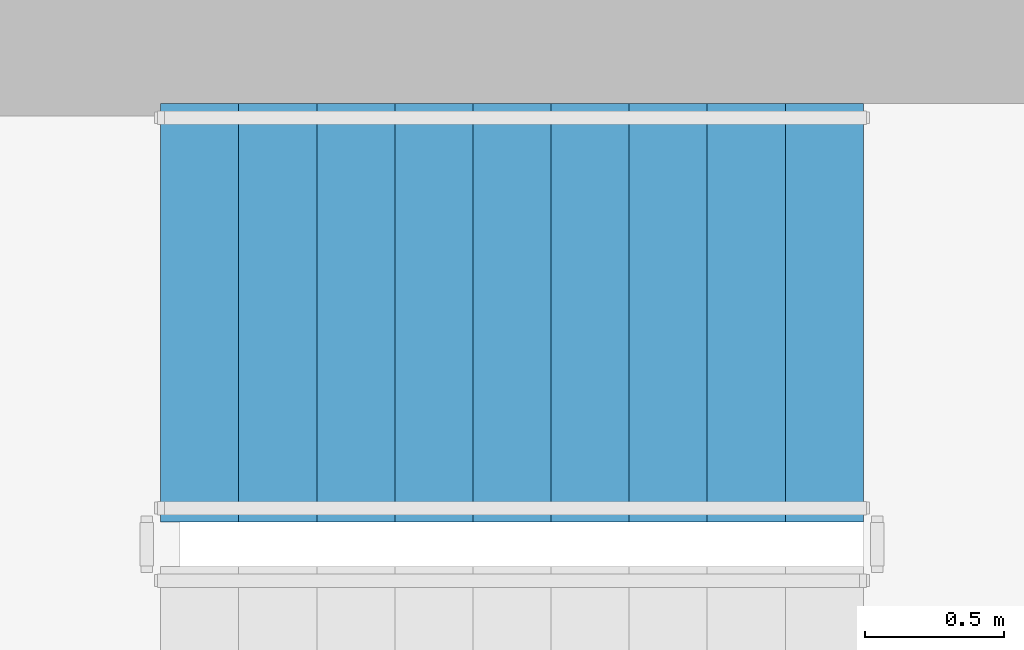
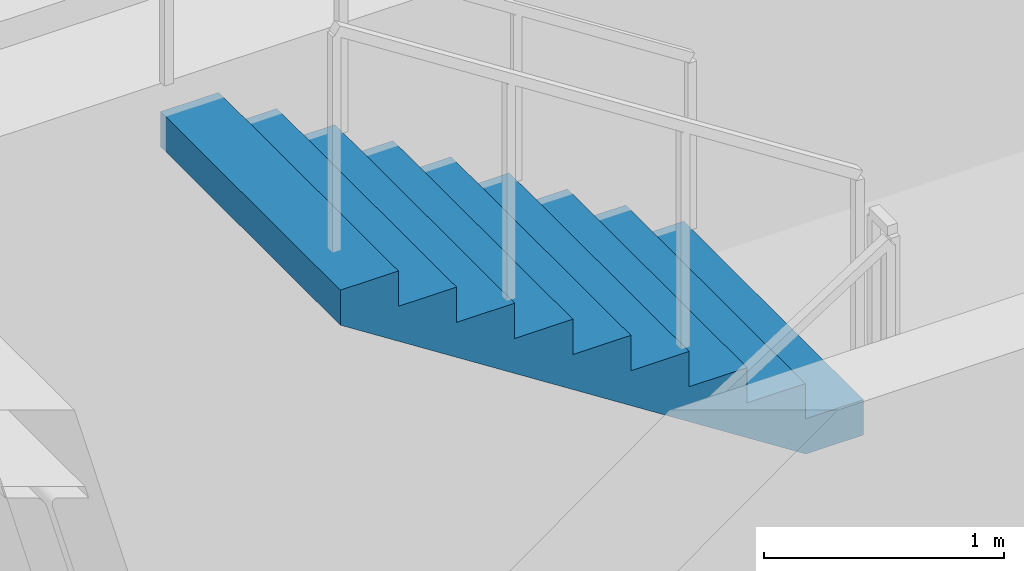
# One storey, part 11 of 15: 1 stair flight, 1 element without a shape of its own.
"""IFC4 building model written with IfcOpenShell, lengths in metres."""

from ifc_helpers import new_model, si_unit, direction, frame, origin, place, context, subcontext, project, spatial, polyline, outline, extrude, material, layer, layer_set, type_object, element, aggregate, save


model = new_model("IFC4")

# Units and contexts
model_context = context("Model", 3, precision=1e-05, world=origin(), true_north=direction((0.0, 1.0)))
body_context = subcontext(model_context, "Body", "Model", "MODEL_VIEW")
ifc_project = project(units=[si_unit("LENGTHUNIT", "METRE"), si_unit("AREAUNIT", "SQUARE_METRE"), si_unit("VOLUMEUNIT", "CUBIC_METRE"), si_unit("PLANEANGLEUNIT", "RADIAN"), si_unit("MASSUNIT", "GRAM", prefix="KILO")], contexts=[model_context])

# Site, building, storey
site_placement = place(None, origin())
site = spatial("IfcSite", under=ifc_project, at=site_placement, CompositionType="ELEMENT")
building_placement = place(site_placement, origin())
building = spatial("IfcBuilding", under=site, at=building_placement, Name="Zarnavel Station Tower", CompositionType="ELEMENT")
storey_placement = place(building_placement, frame((0.0, 0.0, 196.800048828125)))
storey = spatial("IfcBuildingStorey", under=building, at=storey_placement, Name="L53", CompositionType="ELEMENT", Elevation=196.800048828125)

# Stair, stair flight
ifc_material_1 = material(Name="Concrete C45/55", Category="concrete")
stair_type = type_object("IfcStairType", Name="ST_CORE_150", PredefinedType="HALF_TURN_STAIR", material=ifc_material_1)
stair_placement = place(storey_placement, origin())
stair = element("IfcStair", 1, at=stair_placement, inside=storey, type_object=stair_type, Name="L53 Core Exit Stair ST2", PredefinedType="HALF_TURN_STAIR")
ifc_material_2 = material(Name="Concrete C45/55", Category="concrete")
ifc_layer = layer(ifc_material_2, 0.179931640625)
ifc_layer_set = layer_set([ifc_layer], Name="ST_CORE_150_FLT")
stair_flight_type = type_object("IfcStairFlightType", Name="ST_CORE_150_FLT", PredefinedType="STRAIGHT", material=ifc_layer_set)
stair_flight_placement = place(storey_placement, frame((40.60009765625, 36.070068359375, 1.800048828125), z_axis=(0.0, 0.0, 1.0), x_axis=(-1.0, 0.0, 0.0)))
stair_flight = element("IfcStairFlight", 2, at=stair_flight_placement, type_object=stair_flight_type, Name="ST2 flight 2", NumberOfRisers=10, NumberOfTreads=9, PredefinedType="STRAIGHT", RiserHeight=0.18, TreadLength=0.28, context=body_context, shape_type="SweptSolid", body=[
    extrude(outline(polyline([(0.0, 0.0), (0.0, 0.179931640625), (0.280029296875, 0.179931640625), (0.280029296875, 0.360107421875), (0.56005859375, 0.360107421875), (0.56005859375, 0.5400390625), (0.840087890625, 0.5400390625), (0.840087890625, 0.719970703125), (1.1201171875, 0.719970703125), (1.1201171875, 0.89990234375), (1.39990234375, 0.89990234375), (1.39990234375, 1.080078125), (1.679931640625, 1.080078125), (1.679931640625, 1.260009765625), (1.9599609375, 1.260009765625), (1.9599609375, 1.43994140625), (2.239990234375, 1.43994140625), (2.239990234375, 1.6201171875), (2.52001953125, 1.6201171875), (2.52001953125, 1.800048828125), (2.52001953125, 1.44189453125), (0.277099609375, 0.0), (0.0, 0.0)])), frame((0.0, 0.75, 0.0), z_axis=(0.0, -1.0, 0.0), x_axis=(1.0, 0.0, 0.0)), (0.0, 0.0, 1.0), 1.5),
])
aggregate(stair, [stair_flight])

save(model, "model.ifc")
